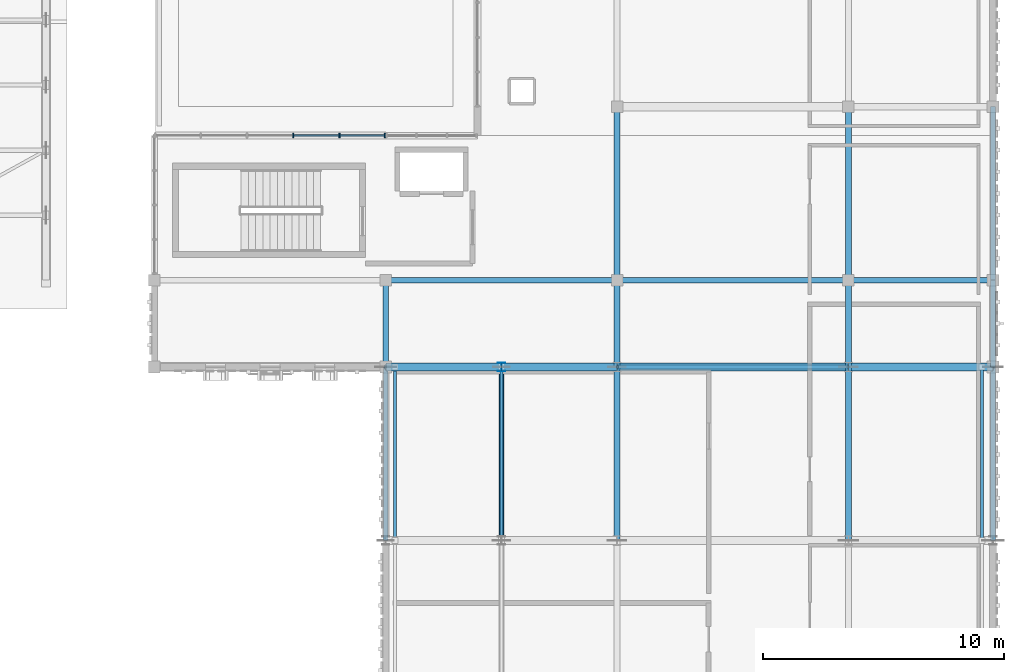
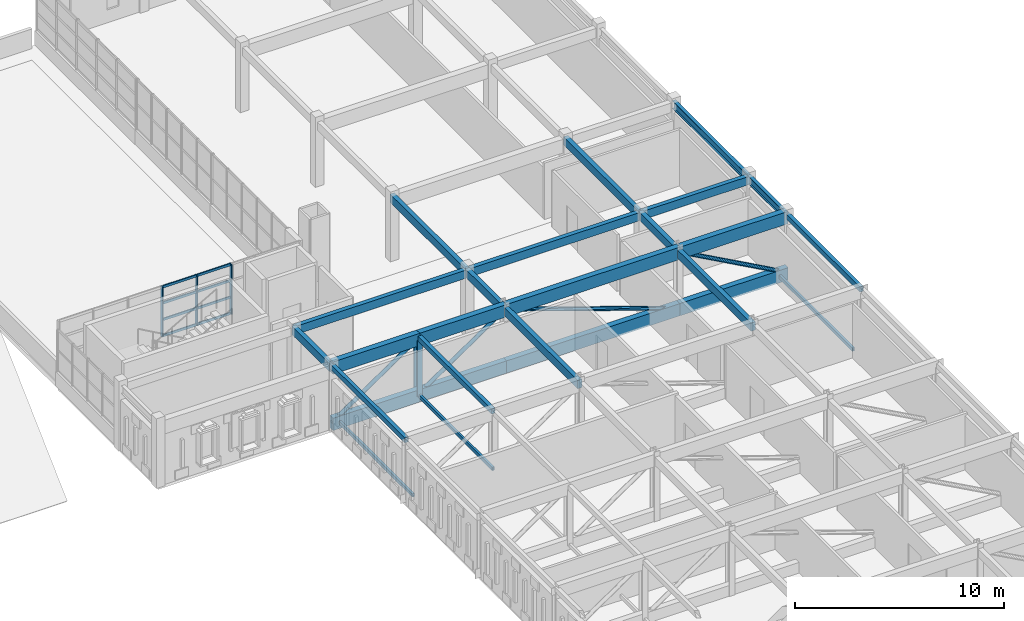
# One storey, part 29 of 79: 27 members, 15 beams, 1 element without a shape of its own.
"""IFC4 building model written with IfcOpenShell, lengths in metres."""

from ifc_helpers import new_model, si_unit, direction, frame, origin, origin_2d, place, context, subcontext, project, spatial, rectangle, hollow_rectangle, hollow_circle, i_section, extrude, material, material_profile, profile_set, type_object, element, aggregate, save


model = new_model("IFC4")

# Units and contexts
model_context = context("Model", 3, precision=1e-05, world=origin(), true_north=direction((0.0, 1.0)))
body_context = subcontext(model_context, "Body", "Model", "MODEL_VIEW")
ifc_project = project(units=[si_unit("LENGTHUNIT", "METRE"), si_unit("AREAUNIT", "SQUARE_METRE"), si_unit("VOLUMEUNIT", "CUBIC_METRE"), si_unit("PLANEANGLEUNIT", "RADIAN"), si_unit("MASSUNIT", "GRAM", prefix="KILO")], contexts=[model_context])

# Site, building, storey
site_placement = place(None, origin())
site = spatial("IfcSite", under=ifc_project, at=site_placement, CompositionType="ELEMENT")
building_placement = place(site_placement, origin())
building = spatial("IfcBuilding", under=site, at=building_placement, Name="Nzembalo Square Collegiate School", CompositionType="ELEMENT")
storey_placement = place(building_placement, frame((0.0, 0.0, 9.52001953125)))
storey = spatial("IfcBuildingStorey", under=building, at=storey_placement, Name="L02", CompositionType="ELEMENT", Elevation=9.52001953125)

# Beams
ifc_material_1 = material(Name="Glulam GL28h", Category="wood")
ifc_material_profile_1 = material_profile(ifc_material_1, rectangle(XDim=0.239990234375, YDim=0.47998046875, at=origin_2d()), Name="GL28h 240x480")
ifc_profile_set_1 = profile_set([ifc_material_profile_1], Name="Glulam GL28h")
beam_type_1 = type_object("IfcBeamType", Name="B06", PredefinedType="BEAM", material=ifc_profile_set_1)
beam_1_placement = place(storey_placement, frame((140.39990234375, 79.199951171875, 3.544921875), z_axis=(0.0, 1.0, 0.0), x_axis=(-1.0, 0.0, 0.0)))
element("IfcBeam", 1, at=beam_1_placement, inside=storey, type_object=beam_type_1, Name="Beam B06 L02", PredefinedType="BEAM", context=body_context, shape_type="SweptSolid", body=[
    extrude(rectangle(XDim=0.239990234375, YDim=0.47998046875, at=origin_2d()), origin(), (0.0, 0.0, 1.0), 3.60009765625),
])
beam_2_placement = place(storey_placement, frame((150.0, 72.0, 3.544921875), z_axis=(0.0, 1.0, 0.0), x_axis=(-1.0, 0.0, 0.0)))
element("IfcBeam", 2, at=beam_2_placement, inside=storey, type_object=beam_type_1, Name="Beam B06 L02", PredefinedType="BEAM", context=body_context, shape_type="SweptSolid", body=[
    extrude(rectangle(XDim=0.239990234375, YDim=0.47998046875, at=origin_2d()), origin(), (0.0, 0.0, 1.0), 7.199951171875),
])
beam_3_placement = place(storey_placement, frame((150.0, 79.199951171875, 3.544921875), z_axis=(0.0, 1.0, 0.0), x_axis=(-1.0, 0.0, 0.0)))
element("IfcBeam", 3, at=beam_3_placement, inside=storey, type_object=beam_type_1, Name="Beam B06 L02", PredefinedType="BEAM", context=body_context, shape_type="SweptSolid", body=[
    extrude(rectangle(XDim=0.239990234375, YDim=0.47998046875, at=origin_2d()), origin(), (0.0, 0.0, 1.0), 3.60009765625),
])
for number, where, z_axis, x_axis, name in (
    (4, (150.0, 82.800048828125, 3.544921875), (0.0, 1.0, 0.0), (-1.0, 0.0, 0.0), "Beam B06 L02"),
    (5, (159.60009765625, 72.0, 3.544921875), (0.0, 1.0, 0.0), (-1.0, 0.0, 0.0), "Beam B06 L02"),
):
    element("IfcBeam", number, at=place(storey_placement, frame(where, z_axis=z_axis, x_axis=x_axis)), inside=storey, type_object=beam_type_1, Name=name, PredefinedType="BEAM", context=body_context, shape_type="SweptSolid", body=[
        extrude(rectangle(XDim=0.239990234375, YDim=0.47998046875, at=origin_2d()), origin(), (0.0, 0.0, 1.0), 7.199951171875),
    ])
beam_4_placement = place(storey_placement, frame((159.60009765625, 79.199951171875, 3.544921875), z_axis=(0.0, 1.0, 0.0), x_axis=(-1.0, 0.0, 0.0)))
element("IfcBeam", 6, at=beam_4_placement, inside=storey, type_object=beam_type_1, Name="Beam B06 L02", PredefinedType="BEAM", context=body_context, shape_type="SweptSolid", body=[
    extrude(rectangle(XDim=0.239990234375, YDim=0.47998046875, at=origin_2d()), origin(), (0.0, 0.0, 1.0), 3.60009765625),
])
beam_5_placement = place(storey_placement, frame((159.60009765625, 82.800048828125, 3.544921875), z_axis=(0.0, 1.0, 0.0), x_axis=(-1.0, 0.0, 0.0)))
element("IfcBeam", 7, at=beam_5_placement, inside=storey, type_object=beam_type_1, Name="Beam B06 L02", PredefinedType="BEAM", context=body_context, shape_type="SweptSolid", body=[
    extrude(rectangle(XDim=0.239990234375, YDim=0.47998046875, at=origin_2d()), origin(), (0.0, 0.0, 1.0), 7.199951171875),
])
ifc_material_2 = material(Name="Steel S355", Category="steel")
ifc_material_profile_2 = material_profile(ifc_material_2, i_section(OverallWidth=0.18994140625, OverallDepth=0.449951171875, WebThickness=0.009521484375, FlangeThickness=0.0146484375, at=origin_2d()), Name="IPE 450")
ifc_profile_set_2 = profile_set([ifc_material_profile_2], Name="Steel S355")
beam_type_2 = type_object("IfcBeamType", Name="B09", PredefinedType="BEAM", material=ifc_profile_set_2)
beam_6_placement = place(storey_placement, frame((165.60009765625, 79.199951171875, 3.56005859375), z_axis=(0.0, 1.0, 0.0), x_axis=(-1.0, 0.0, 0.0)))
element("IfcBeam", 8, at=beam_6_placement, inside=storey, type_object=beam_type_2, Name="Beam B09 L02", PredefinedType="BEAM", context=body_context, shape_type="SweptSolid", body=[
    extrude(i_section(OverallWidth=0.18994140625, OverallDepth=0.449951171875, WebThickness=0.009521484375, FlangeThickness=0.0146484375, at=origin_2d()), origin(), (0.0, 0.0, 1.0), 3.60009765625),
])
beam_7_placement = place(storey_placement, frame((165.60009765625, 82.800048828125, 3.56005859375), z_axis=(0.0, 1.0, 0.0), x_axis=(-1.0, 0.0, 0.0)))
element("IfcBeam", 9, at=beam_7_placement, inside=storey, type_object=beam_type_2, Name="Beam B09 L02", PredefinedType="BEAM", context=body_context, shape_type="SweptSolid", body=[
    extrude(i_section(OverallWidth=0.18994140625, OverallDepth=0.449951171875, WebThickness=0.009521484375, FlangeThickness=0.0146484375, at=origin_2d()), origin(), (0.0, 0.0, 1.0), 7.199951171875),
])
ifc_material_3 = material(Name="Glulam GL28h", Category="wood")
ifc_material_profile_3 = material_profile(ifc_material_3, rectangle(XDim=0.239990234375, YDim=0.47998046875, at=origin_2d()), Name="GL28h 240x480")
ifc_profile_set_3 = profile_set([ifc_material_profile_3], Name="Glulam GL28h")
beam_type_3 = type_object("IfcBeamType", Name="SP02", PredefinedType="SPANDREL", material=ifc_profile_set_3)
for number, where, z_axis, x_axis, name in (
    (10, (140.39990234375, 82.800048828125, 3.544921875), (1.0, 0.0, 0.0), (0.0, 1.0, 0.0), "Beam SP02 L02"),
    (11, (150.0, 82.800048828125, 3.544921875), (1.0, 0.0, 0.0), (0.0, 1.0, 0.0), "Beam SP02 L02"),
):
    element("IfcBeam", number, at=place(storey_placement, frame(where, z_axis=z_axis, x_axis=x_axis)), inside=storey, type_object=beam_type_3, Name=name, PredefinedType="SPANDREL", context=body_context, shape_type="SweptSolid", body=[
        extrude(rectangle(XDim=0.239990234375, YDim=0.47998046875, at=origin_2d()), origin(), (0.0, 0.0, 1.0), 9.60009765625),
    ])
beam_8_placement = place(storey_placement, frame((159.60009765625, 82.800048828125, 3.544921875), z_axis=(1.0, 0.0, 0.0), x_axis=(0.0, 1.0, 0.0)))
element("IfcBeam", 12, at=beam_8_placement, inside=storey, type_object=beam_type_3, Name="Beam SP02 L02", PredefinedType="SPANDREL", context=body_context, shape_type="SweptSolid", body=[
    extrude(rectangle(XDim=0.239990234375, YDim=0.47998046875, at=origin_2d()), origin(), (0.0, 0.0, 1.0), 6.0),
])
ifc_material_4 = material(Name="Steel S355", Category="steel")
ifc_material_profile_4 = material_profile(ifc_material_4, hollow_rectangle(XDim=0.199951171875, YDim=0.300048828125, WallThickness=0.011962890625, at=origin_2d()), Name="RHS 300x200x12")
ifc_profile_set_4 = profile_set([ifc_material_profile_4], Name="Steel S355")
beam_type_4 = type_object("IfcBeamType", Name="SP03", PredefinedType="SPANDREL", material=ifc_profile_set_4)
for number, where, z_axis, x_axis, name in (
    (13, (165.60009765625, 72.0, 3.635009765625), (0.0, 1.0, 0.0), (-1.0, 0.0, 0.0), "Cantilever edge beam SP03 4B L02"),
    (14, (140.39990234375, 72.0, 3.635009765625), (0.0, 1.0, 0.0), (-1.0, 0.0, 0.0), "Cantilever edge beam SP03 4B L02"),
    (15, (145.199951171875, 72.0, 3.635009765625), (0.0, 1.0, 0.0), (-1.0, 0.0, 0.0), "Cantilever edge beam SP03 4B L02"),
):
    element("IfcBeam", number, at=place(storey_placement, frame(where, z_axis=z_axis, x_axis=x_axis)), inside=storey, type_object=beam_type_4, Name=name, PredefinedType="SPANDREL", context=body_context, shape_type="SweptSolid", body=[
        extrude(hollow_rectangle(XDim=0.199951171875, YDim=0.300048828125, WallThickness=0.011962890625, at=origin_2d()), origin(), (0.0, 0.0, 1.0), 7.199951171875),
    ])

# Curtain wall, members
ifc_material_5 = material(Name="Aluminium 6060-T66", Category="aluminium")
curtain_wall_type = type_object("IfcCurtainWallType", Name="CW-09", PredefinedType="USERDEFINED", material=ifc_material_5)
curtain_wall_placement = place(storey_placement, origin())
curtain_wall = element("IfcCurtainWall", 16, at=curtain_wall_placement, inside=storey, type_object=curtain_wall_type, Name="Curtain wall CW-09 cw:L02:100", ObjectType="UNITISED", PredefinedType="USERDEFINED")
ifc_material_6 = material(Name="Aluminium 6060-T66", Category="aluminium")
ifc_material_profile_5 = material_profile(ifc_material_6, rectangle(XDim=0.06005859375, YDim=0.179931640625, at=origin_2d()), Name="ALU M60x180")
ifc_profile_set_5 = profile_set([ifc_material_profile_5], Name="Aluminium 6060-T66")
member_type_1 = type_object("IfcMemberType", Name="ML01", PredefinedType="MULLION", material=ifc_profile_set_5)
member_1_placement = place(storey_placement, frame((136.56005859375, 88.800048828125, 0.85009765625), z_axis=(0.0, 0.0, 1.0), x_axis=(1.0, 0.0, 0.0)))
member_1 = element("IfcMember", 17, at=member_1_placement, type_object=member_type_1, Name="ML01 mullion 4", PredefinedType="MULLION", context=body_context, shape_type="SweptSolid", body=[
    extrude(rectangle(XDim=0.06005859375, YDim=0.179931640625, at=origin_2d()), origin(), (0.0, 0.0, 1.0), 2.923828125),
])
member_2_placement = place(storey_placement, frame((138.47998046875, 88.800048828125, 0.85009765625), z_axis=(0.0, 0.0, 1.0), x_axis=(1.0, 0.0, 0.0)))
member_2 = element("IfcMember", 18, at=member_2_placement, type_object=member_type_1, Name="ML01 mullion 5", PredefinedType="MULLION", context=body_context, shape_type="SweptSolid", body=[
    extrude(rectangle(XDim=0.06005859375, YDim=0.179931640625, at=origin_2d()), origin(), (0.0, 0.0, 1.0), 2.923828125),
])
member_3_placement = place(storey_placement, frame((140.3701171875, 88.800048828125, 0.85009765625), z_axis=(0.0, 0.0, 1.0), x_axis=(1.0, 0.0, 0.0)))
member_3 = element("IfcMember", 19, at=member_3_placement, type_object=member_type_1, Name="ML01 mullion 6", PredefinedType="MULLION", context=body_context, shape_type="SweptSolid", body=[
    extrude(rectangle(XDim=0.06005859375, YDim=0.179931640625, at=origin_2d()), origin(), (0.0, 0.0, 1.0), 2.923828125),
])
ifc_material_7 = material(Name="Aluminium 6060-T66", Category="aluminium")
ifc_material_profile_6 = material_profile(ifc_material_7, rectangle(XDim=0.06005859375, YDim=0.139892578125, at=origin_2d()), Name="ALU T60x140")
ifc_profile_set_6 = profile_set([ifc_material_profile_6], Name="Aluminium 6060-T66")
member_type_2 = type_object("IfcMemberType", Name="TR01", PredefinedType="USERDEFINED", material=ifc_profile_set_6)
member_4_placement = place(storey_placement, frame((136.590087890625, 88.800048828125, 0.8798828125), z_axis=(1.0, 0.0, 0.0), x_axis=(0.0, 1.0, 0.0)))
member_4 = element("IfcMember", 20, at=member_4_placement, type_object=member_type_2, Name="TR01 transom 1-4", ObjectType="TRANSOM", PredefinedType="USERDEFINED", context=body_context, shape_type="SweptSolid", body=[
    extrude(rectangle(XDim=0.06005859375, YDim=0.139892578125, at=origin_2d()), origin(), (0.0, 0.0, 1.0), 1.85986328125),
])
member_5_placement = place(storey_placement, frame((138.510009765625, 88.800048828125, 0.8798828125), z_axis=(1.0, 0.0, 0.0), x_axis=(0.0, 1.0, 0.0)))
member_5 = element("IfcMember", 21, at=member_5_placement, type_object=member_type_2, Name="TR01 transom 1-5", ObjectType="TRANSOM", PredefinedType="USERDEFINED", context=body_context, shape_type="SweptSolid", body=[
    extrude(rectangle(XDim=0.06005859375, YDim=0.139892578125, at=origin_2d()), origin(), (0.0, 0.0, 1.0), 1.830078125),
])
member_6_placement = place(storey_placement, frame((136.590087890625, 88.800048828125, 1.82470703125), z_axis=(1.0, 0.0, 0.0), x_axis=(0.0, 1.0, 0.0)))
member_6 = element("IfcMember", 22, at=member_6_placement, type_object=member_type_2, Name="TR01 transom 2-4", ObjectType="TRANSOM", PredefinedType="USERDEFINED", context=body_context, shape_type="SweptSolid", body=[
    extrude(rectangle(XDim=0.06005859375, YDim=0.139892578125, at=origin_2d()), origin(), (0.0, 0.0, 1.0), 1.85986328125),
])
member_7_placement = place(storey_placement, frame((138.510009765625, 88.800048828125, 1.82470703125), z_axis=(1.0, 0.0, 0.0), x_axis=(0.0, 1.0, 0.0)))
member_7 = element("IfcMember", 23, at=member_7_placement, type_object=member_type_2, Name="TR01 transom 2-5", ObjectType="TRANSOM", PredefinedType="USERDEFINED", context=body_context, shape_type="SweptSolid", body=[
    extrude(rectangle(XDim=0.06005859375, YDim=0.139892578125, at=origin_2d()), origin(), (0.0, 0.0, 1.0), 1.830078125),
])
member_8_placement = place(storey_placement, frame((136.590087890625, 88.800048828125, 2.79931640625), z_axis=(1.0, 0.0, 0.0), x_axis=(0.0, 1.0, 0.0)))
member_8 = element("IfcMember", 24, at=member_8_placement, type_object=member_type_2, Name="TR01 transom 3-4", ObjectType="TRANSOM", PredefinedType="USERDEFINED", context=body_context, shape_type="SweptSolid", body=[
    extrude(rectangle(XDim=0.06005859375, YDim=0.139892578125, at=origin_2d()), origin(), (0.0, 0.0, 1.0), 1.85986328125),
])
member_9_placement = place(storey_placement, frame((138.510009765625, 88.800048828125, 2.79931640625), z_axis=(1.0, 0.0, 0.0), x_axis=(0.0, 1.0, 0.0)))
member_9 = element("IfcMember", 25, at=member_9_placement, type_object=member_type_2, Name="TR01 transom 3-5", ObjectType="TRANSOM", PredefinedType="USERDEFINED", context=body_context, shape_type="SweptSolid", body=[
    extrude(rectangle(XDim=0.06005859375, YDim=0.139892578125, at=origin_2d()), origin(), (0.0, 0.0, 1.0), 1.830078125),
])
member_10_placement = place(storey_placement, frame((136.590087890625, 88.800048828125, 3.743896484375), z_axis=(1.0, 0.0, 0.0), x_axis=(0.0, 1.0, 0.0)))
member_10 = element("IfcMember", 26, at=member_10_placement, type_object=member_type_2, Name="TR01 transom 4-4", ObjectType="TRANSOM", PredefinedType="USERDEFINED", context=body_context, shape_type="SweptSolid", body=[
    extrude(rectangle(XDim=0.06005859375, YDim=0.139892578125, at=origin_2d()), origin(), (0.0, 0.0, 1.0), 1.85986328125),
])
member_11_placement = place(storey_placement, frame((138.510009765625, 88.800048828125, 3.743896484375), z_axis=(1.0, 0.0, 0.0), x_axis=(0.0, 1.0, 0.0)))
member_11 = element("IfcMember", 27, at=member_11_placement, type_object=member_type_2, Name="TR01 transom 4-5", ObjectType="TRANSOM", PredefinedType="USERDEFINED", context=body_context, shape_type="SweptSolid", body=[
    extrude(rectangle(XDim=0.06005859375, YDim=0.139892578125, at=origin_2d()), origin(), (0.0, 0.0, 1.0), 1.830078125),
])
aggregate(curtain_wall, [member_1, member_2, member_3, member_4, member_5, member_6, member_7, member_8, member_9, member_10, member_11])

# Members
ifc_material_8 = material(Name="Steel S355", Category="steel")
ifc_material_profile_7 = material_profile(ifc_material_8, hollow_rectangle(XDim=0.1201171875, YDim=0.199951171875, WallThickness=0.008056640625, at=origin_2d()), Name="RHS 200x120x8")
ifc_profile_set_7 = profile_set([ifc_material_profile_7], Name="Steel S355")
member_type_3 = type_object("IfcMemberType", Name="BR02", PredefinedType="BRACE", material=ifc_profile_set_7)
for number, where, z_axis, x_axis, name in (
    (28, (140.780029296875, 72.0, 0.260009765625), (0.0, 1.0, 0.0), (-1.0, 0.0, 0.0), "Cantilever bottom-chord tie 4B btip"),
    (29, (145.199951171875, 72.0, 0.260009765625), (0.0, 1.0, 0.0), (-1.0, 0.0, 0.0), "Cantilever bottom-chord tie 4B bmid"),
    (30, (165.14990234375, 72.0, 0.260009765625), (0.0, 1.0, 0.0), (-1.0, 0.0, 0.0), "Cantilever outer bottom-chord tie 4B"),
):
    element("IfcMember", number, at=place(storey_placement, frame(where, z_axis=z_axis, x_axis=x_axis)), inside=storey, type_object=member_type_3, Name=name, PredefinedType="BRACE", context=body_context, shape_type="SweptSolid", body=[
        extrude(hollow_rectangle(XDim=0.1201171875, YDim=0.199951171875, WallThickness=0.008056640625, at=origin_2d()), origin(), (0.0, 0.0, 1.0), 7.199951171875),
    ])
ifc_material_9 = material(Name="Glulam GL32h", Category="wood")
ifc_material_profile_8 = material_profile(ifc_material_9, rectangle(XDim=0.320068359375, YDim=0.719970703125, at=origin_2d()), Name="GL32h 320x720")
ifc_profile_set_8 = profile_set([ifc_material_profile_8], Name="Glulam GL32h")
member_type_4 = type_object("IfcMemberType", Name="TC04", PredefinedType="CHORD", material=ifc_profile_set_8)
for number, where, z_axis, x_axis, name in (
    (31, (165.60009765625, 79.199951171875, 3.56005859375), (-1.0, 0.0, 0.0), (0.0, -1.0, 0.0), "TT-4B-05 top chord 1"),
    (32, (165.60009765625, 79.199951171875, 0.260009765625), (-1.0, 0.0, 0.0), (0.0, -1.0, 0.0), "TT-4B-05 bottom chord 1"),
):
    element("IfcMember", number, at=place(storey_placement, frame(where, z_axis=z_axis, x_axis=x_axis)), inside=storey, type_object=member_type_4, Name=name, PredefinedType="CHORD", context=body_context, shape_type="SweptSolid", body=[
        extrude(rectangle(XDim=0.320068359375, YDim=0.719970703125, at=origin_2d()), origin(), (0.0, 0.0, 1.0), 6.0),
    ])
for number, where, z_axis, x_axis, name in (
    (33, (159.60009765625, 79.199951171875, 3.56005859375), (-1.0, 0.0, 0.0), (0.0, -1.0, 0.0), "TT-4B-05 top chord 2"),
    (34, (159.60009765625, 79.199951171875, 0.260009765625), (-1.0, 0.0, 0.0), (0.0, -1.0, 0.0), "TT-4B-05 bottom chord 2"),
):
    element("IfcMember", number, at=place(storey_placement, frame(where, z_axis=z_axis, x_axis=x_axis)), inside=storey, type_object=member_type_4, Name=name, PredefinedType="CHORD", context=body_context, shape_type="SweptSolid", body=[
        extrude(rectangle(XDim=0.320068359375, YDim=0.719970703125, at=origin_2d()), origin(), (0.0, 0.0, 1.0), 9.60009765625),
    ])
for number, where, z_axis, x_axis, name in (
    (35, (150.0, 79.199951171875, 3.56005859375), (-1.0, 0.0, 0.0), (0.0, -1.0, 0.0), "TT-4B-05 top chord 3"),
    (36, (150.0, 79.199951171875, 0.260009765625), (-1.0, 0.0, 0.0), (0.0, -1.0, 0.0), "TT-4B-05 bottom chord 3"),
    (37, (145.199951171875, 79.199951171875, 3.56005859375), (-1.0, 0.0, 0.0), (0.0, -1.0, 0.0), "TT-4B-05 top chord 4"),
    (38, (145.199951171875, 79.199951171875, 0.260009765625), (-1.0, 0.0, 0.0), (0.0, -1.0, 0.0), "TT-4B-05 bottom chord 4"),
):
    element("IfcMember", number, at=place(storey_placement, frame(where, z_axis=z_axis, x_axis=x_axis)), inside=storey, type_object=member_type_4, Name=name, PredefinedType="CHORD", context=body_context, shape_type="SweptSolid", body=[
        extrude(rectangle(XDim=0.320068359375, YDim=0.719970703125, at=origin_2d()), origin(), (0.0, 0.0, 1.0), 4.800048828125),
    ])
ifc_material_10 = material(Name="Steel S355", Category="steel")
ifc_material_profile_9 = material_profile(ifc_material_10, hollow_circle(Radius=0.109619140625, WallThickness=0.010009765625, at=origin_2d()), Name="CHS 219x10")
ifc_profile_set_9 = profile_set([ifc_material_profile_9], Name="Steel S355")
member_type_5 = type_object("IfcMemberType", Name="TD04", PredefinedType="BRACE", material=ifc_profile_set_9)
member_12_placement = place(storey_placement, frame((165.60009765625, 79.199951171875, 0.260009765625), z_axis=(-0.876212897641, 0.0, 0.481924224341), x_axis=(0.0, -1.0, 0.0)))
element("IfcMember", 39, at=member_12_placement, inside=storey, type_object=member_type_5, Name="TT-4B-05 web diagonal 1", PredefinedType="BRACE", context=body_context, shape_type="SweptSolid", body=[
    extrude(hollow_circle(Radius=0.109619140625, WallThickness=0.010009765625, at=origin_2d()), origin(), (0.0, 0.0, 1.0), 6.84765625),
])
member_13_placement = place(storey_placement, frame((159.60009765625, 79.199951171875, 0.260009765625), z_axis=(-0.945686137212, 0.0, 0.325081112779), x_axis=(0.0, -1.0, 0.0)))
element("IfcMember", 40, at=member_13_placement, inside=storey, type_object=member_type_5, Name="TT-4B-05 web diagonal 2", PredefinedType="BRACE", context=body_context, shape_type="SweptSolid", body=[
    extrude(hollow_circle(Radius=0.109619140625, WallThickness=0.010009765625, at=origin_2d()), origin(), (0.0, 0.0, 1.0), 10.1513671875),
])
for number, where, z_axis, x_axis, name in (
    (41, (145.199951171875, 79.199951171875, 0.260009765625), (0.824040701288, 0.0, 0.566530601664), (0.0, 1.0, 0.0), "TT-4B-05 web diagonal 3"),
    (42, (140.39990234375, 79.199951171875, 0.260009765625), (0.824040701288, 0.0, 0.566530601664), (0.0, 1.0, 0.0), "TT-4B-05 web diagonal 4"),
):
    element("IfcMember", number, at=place(storey_placement, frame(where, z_axis=z_axis, x_axis=x_axis)), inside=storey, type_object=member_type_5, Name=name, PredefinedType="BRACE", context=body_context, shape_type="SweptSolid", body=[
        extrude(hollow_circle(Radius=0.109619140625, WallThickness=0.010009765625, at=origin_2d()), origin(), (0.0, 0.0, 1.0), 5.824951171875),
    ])
ifc_material_11 = material(Name="Steel S355", Category="steel")
ifc_material_profile_10 = material_profile(ifc_material_11, i_section(OverallWidth=0.300048828125, OverallDepth=0.35009765625, WebThickness=0.010009765625, FlangeThickness=0.017578125, at=origin_2d()), Name="HEA 360")
ifc_profile_set_10 = profile_set([ifc_material_profile_10], Name="Steel S355")
member_type_6 = type_object("IfcMemberType", Name="TP02", PredefinedType="POST", material=ifc_profile_set_10)
member_14_placement = place(storey_placement, frame((145.199951171875, 79.199951171875, 0.260009765625), z_axis=(0.0, 0.0, 1.0), x_axis=(1.0, 0.0, 0.0)))
element("IfcMember", 43, at=member_14_placement, inside=storey, type_object=member_type_6, Name="TT-4B-05 cantilever post 3", PredefinedType="POST", context=body_context, shape_type="SweptSolid", body=[
    extrude(i_section(OverallWidth=0.300048828125, OverallDepth=0.35009765625, WebThickness=0.010009765625, FlangeThickness=0.017578125, at=origin_2d()), origin(), (0.0, 0.0, 1.0), 3.300048828125),
])

save(model, "model.ifc")
